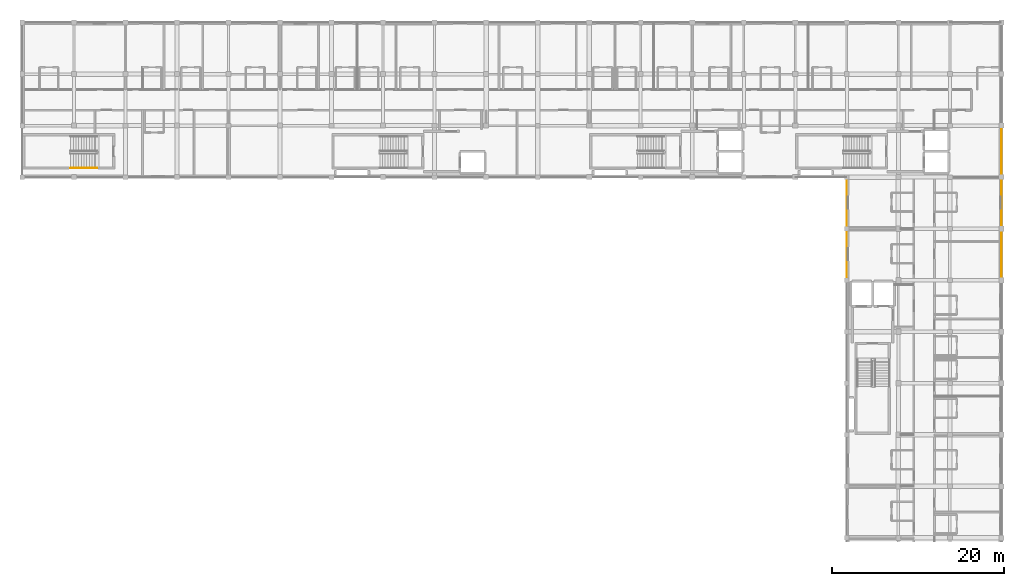
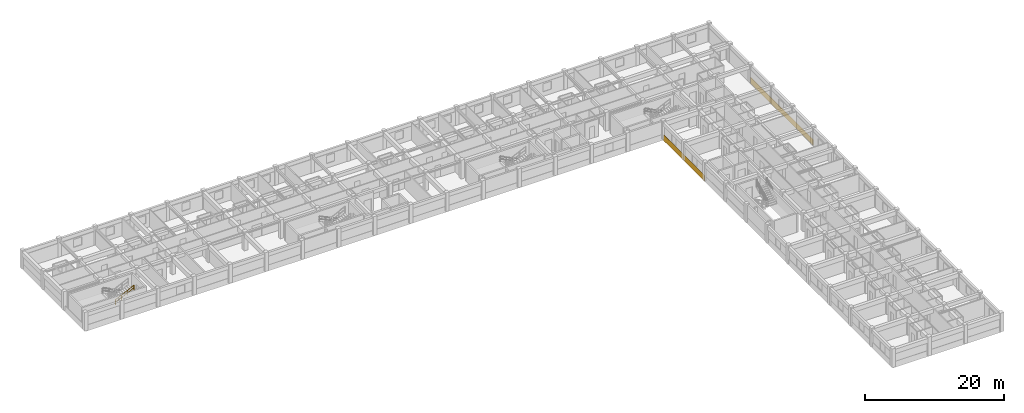
# One storey, part 18 of 21: 2 coverings, 1 railing.
"""IFC4 building model written with IfcOpenShell, lengths in metres."""

from ifc_helpers import new_model, si_unit, direction, frame, origin, origin_2d, place, context, subcontext, project, spatial, polyline, circle, outline, extrude, material, layer, layer_set, type_object, element, save


model = new_model("IFC4")

# Units and contexts
model_context = context("Model", 3, precision=1e-05, world=origin(), true_north=direction((0.0, 1.0)))
body_context = subcontext(model_context, "Body", "Model", "MODEL_VIEW")
ifc_project = project(units=[si_unit("LENGTHUNIT", "METRE"), si_unit("AREAUNIT", "SQUARE_METRE"), si_unit("VOLUMEUNIT", "CUBIC_METRE"), si_unit("PLANEANGLEUNIT", "RADIAN"), si_unit("MASSUNIT", "GRAM", prefix="KILO"), si_unit("THERMODYNAMICTEMPERATUREUNIT", "KELVIN"), si_unit("POWERUNIT", "WATT")], contexts=[model_context])

# Site, building, storey
site_placement = place(None, origin())
site = spatial("IfcSite", under=ifc_project, at=site_placement, CompositionType="ELEMENT")
building_placement = place(site_placement, origin())
building = spatial("IfcBuilding", under=site, at=building_placement, Name="Phaisarnlok Congress Hotel", CompositionType="ELEMENT")
storey_placement = place(building_placement, frame((0.0, 0.0, 31.5)))
storey = spatial("IfcBuildingStorey", under=building, at=storey_placement, Name="L07", CompositionType="ELEMENT", Elevation=31.5)

# Coverings
ifc_material_1 = material(Name="Anodised Silver Aluminium Alloy 6063-T6", Category="aluminium")
ifc_layer = layer(ifc_material_1, 0.031982421875, Name="Anodised Silver Aluminium Alloy 6063-T6")
ifc_layer_set = layer_set([ifc_layer], Name="Anodised Silver Aluminium Alloy 6063-T6")
covering_type = type_object("IfcCoveringType", Name="COV-SPAND-ALU", PredefinedType="CLADDING", material=ifc_layer_set)
covering_1_placement = place(storey_placement, frame((179.9951171875, 96.06005859375, -0.280029296875), z_axis=(1.0, 0.0, 0.0), x_axis=(0.0, 1.0, 0.0)))
element("IfcCovering", 1, at=covering_1_placement, inside=storey, type_object=covering_type, Name="Swiss minimalist anodised silver rainscreen band CL-02 (L07 E)", PredefinedType="CLADDING", context=body_context, shape_type="SweptSolid", body=[
    extrude(outline(polyline([(0.0, 0.0), (18.0, 0.0), (18.0, 1.050048828125), (0.0, 1.050048828125), (0.0, 0.0)])), origin(), (0.0, 0.0, 1.0), 0.031982421875),
])
covering_2_placement = place(storey_placement, frame((162.0048828125, 107.93994140625, -0.280029296875), z_axis=(-1.0, 0.0, 0.0), x_axis=(0.0, -1.0, 0.0)))
element("IfcCovering", 2, at=covering_2_placement, inside=storey, type_object=covering_type, Name="Swiss minimalist anodised silver rainscreen band CL-02 (L07 W)", PredefinedType="CLADDING", context=body_context, shape_type="SweptSolid", body=[
    extrude(outline(polyline([(0.0, 0.0), (11.8798828125, 0.0), (11.8798828125, 1.050048828125), (0.0, 1.050048828125), (0.0, 0.0)])), origin(), (0.0, 0.0, 1.0), 0.031982421875),
])

# Railing
ifc_material_2 = material(Name="Brushed Stainless Steel Grade 304", Category="steel")
railing_type = type_object("IfcRailingType", Name="RLG-STR-HRAIL", PredefinedType="HANDRAIL", material=ifc_material_2)
railing_placement = place(storey_placement, frame((71.6201171875, 109.050048828125, 1.800048828125)))
element("IfcRailing", 3, at=railing_placement, inside=storey, type_object=railing_type, Name="L07 ST-10 stair handrail 2", PredefinedType="HANDRAIL", context=body_context, shape_type="SweptSolid", body=[
    extrude(circle(Radius=0.02392578125, at=origin_2d()), frame((0.0, 0.0, 0.8759765625), z_axis=(0.900151181449, 0.0, 0.435577605641), x_axis=(0.0, 1.0, 0.0)), (0.0, 0.0, 1.0), 3.443603515625),
    extrude(circle(Radius=0.02392578125, at=origin_2d()), frame((0.0, 0.0, 0.42578125), z_axis=(0.900151181449, 0.0, 0.435577605641), x_axis=(0.0, 1.0, 0.0)), (0.0, 0.0, 1.0), 3.443603515625),
    extrude(circle(Radius=0.02099609375, at=origin_2d()), origin(), (0.0, 0.0, 1.0), 0.851806640625),
    extrude(circle(Radius=0.02099609375, at=origin_2d()), frame((1.033203125, 0.0, 0.5)), (0.0, 0.0, 1.0), 0.851806640625),
    extrude(circle(Radius=0.02099609375, at=origin_2d()), frame((2.066650390625, 0.0, 1.0)), (0.0, 0.0, 1.0), 0.851806640625),
    extrude(circle(Radius=0.02099609375, at=origin_2d()), frame((3.099853515625, 0.0, 1.5)), (0.0, 0.0, 1.0), 0.851806640625),
])

save(model, "model.ifc")
